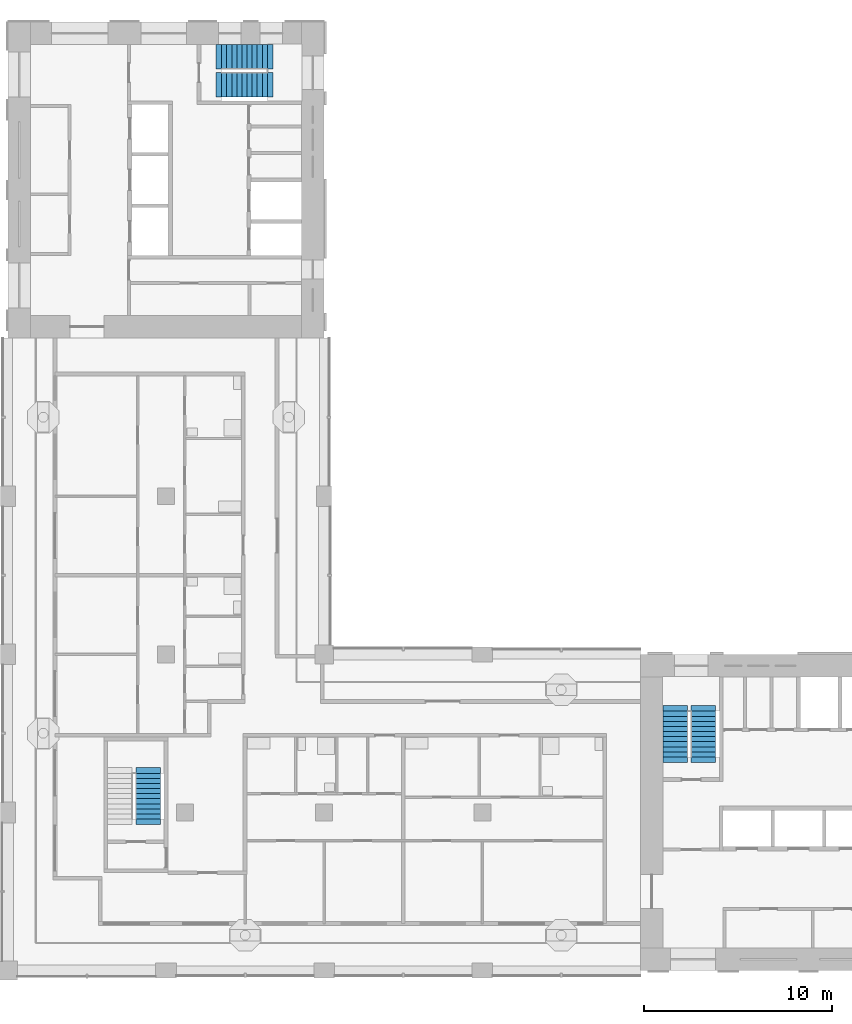
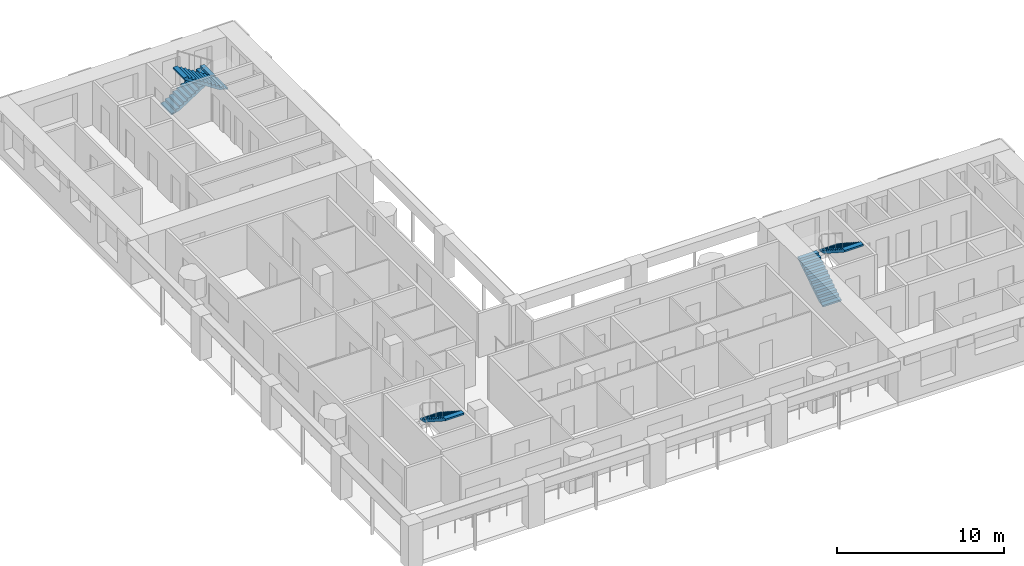
# One storey, part 7 of 12: 5 stair flights, 3 elements without a shape of their own.
"""IFC4 building model written with IfcOpenShell, lengths in metres."""

from ifc_helpers import new_model, si_unit, direction, frame, origin, place, context, subcontext, project, spatial, polyline, outline, extrude, material, type_object, element, aggregate, save


model = new_model("IFC4")

# Units and contexts
model_context = context("Model", 3, precision=1e-05, world=origin(), true_north=direction((0.0, 1.0)))
body_context = subcontext(model_context, "Body", "Model", "MODEL_VIEW")
ifc_project = project(units=[si_unit("LENGTHUNIT", "METRE"), si_unit("AREAUNIT", "SQUARE_METRE"), si_unit("VOLUMEUNIT", "CUBIC_METRE"), si_unit("PLANEANGLEUNIT", "RADIAN"), si_unit("MASSUNIT", "GRAM", prefix="KILO")], contexts=[model_context])

# Site, building, storey
site_placement = place(None, origin())
site = spatial("IfcSite", under=ifc_project, at=site_placement, CompositionType="ELEMENT")
building_placement = place(site_placement, origin())
building = spatial("IfcBuilding", under=site, at=building_placement, Name="Vermilion Gate Residences", CompositionType="ELEMENT")
storey_placement = place(building_placement, frame((0.0, 0.0, 214.199951171875)))
storey = spatial("IfcBuildingStorey", under=building, at=storey_placement, Name="L55", CompositionType="ELEMENT", Elevation=214.199951171875)

# Stair, stair flights
ifc_material_1 = material(Name="Concrete C50", Category="concrete")
stair_type = type_object("IfcStairType", Name="SPECIAL ESCAPE STAIR 1300", PredefinedType="HALF_TURN_STAIR", material=ifc_material_1)
stair_1_placement = place(storey_placement, origin())
stair_1 = element("IfcStair", 1, at=stair_1_placement, inside=storey, type_object=stair_type, Name="Special escape stair STA1-55", PredefinedType="HALF_TURN_STAIR")
ifc_material_2 = material(Name="Concrete C50", Category="concrete")
stair_flight_type = type_object("IfcStairFlightType", Name="STAIR FLIGHT 1300 RC C50", PredefinedType="STRAIGHT", material=ifc_material_2)
stair_flight_1_placement = place(storey_placement, frame((43.85009765625, 19.75, 0.0), z_axis=(0.0, 0.0, 1.0), x_axis=(0.0, 1.0, 0.0)))
stair_flight_1 = element("IfcStairFlight", 2, at=stair_flight_1_placement, type_object=stair_flight_type, Name="STA1-55 flight 1", NumberOfRisers=10, NumberOfTreads=9, PredefinedType="STRAIGHT", RiserHeight=0.175, TreadLength=0.27, context=body_context, shape_type="SweptSolid", body=[
    extrude(outline(polyline([(-0.300048828125, -0.14990234375), (-0.300048828125, -0.030029296875), (0.0, 0.0), (0.0, 0.175048828125), (0.27001953125, 0.175048828125), (0.27001953125, 0.35009765625), (0.5400390625, 0.35009765625), (0.5400390625, 0.52490234375), (0.81005859375, 0.52490234375), (0.81005859375, 0.699951171875), (1.080078125, 0.699951171875), (1.080078125, 0.875), (1.35009765625, 0.875), (1.35009765625, 1.050048828125), (1.6201171875, 1.050048828125), (1.6201171875, 1.22509765625), (1.889892578125, 1.22509765625), (1.889892578125, 1.39990234375), (2.159912109375, 1.39990234375), (2.159912109375, 1.574951171875), (2.429931640625, 1.574951171875), (2.429931640625, 1.75), (2.72998046875, 1.719970703125), (2.72998046875, 1.60009765625), (2.429931640625, 1.396484375), (0.275634765625, 0.0), (-0.300048828125, -0.14990234375)])), frame((0.0, 0.64990234375, 0.0), z_axis=(0.0, -1.0, 0.0), x_axis=(1.0, 0.0, 0.0)), (0.0, 0.0, 1.0), 1.300048828125),
])
stair_flight_2_placement = place(storey_placement, frame((45.35009765625, 22.179931640625, 1.75), z_axis=(0.0, 0.0, 1.0), x_axis=(0.0, -1.0, 0.0)))
stair_flight_2 = element("IfcStairFlight", 3, at=stair_flight_2_placement, type_object=stair_flight_type, Name="STA1-55 flight 2", NumberOfRisers=10, NumberOfTreads=9, PredefinedType="STRAIGHT", RiserHeight=0.175, TreadLength=0.27, context=body_context, shape_type="SweptSolid", body=[
    extrude(outline(polyline([(-0.300048828125, -0.14990234375), (-0.300048828125, -0.030029296875), (0.0, 0.0), (0.0, 0.175048828125), (0.27001953125, 0.175048828125), (0.27001953125, 0.35009765625), (0.5400390625, 0.35009765625), (0.5400390625, 0.52490234375), (0.81005859375, 0.52490234375), (0.81005859375, 0.699951171875), (1.080078125, 0.699951171875), (1.080078125, 0.875), (1.35009765625, 0.875), (1.35009765625, 1.050048828125), (1.6201171875, 1.050048828125), (1.6201171875, 1.22509765625), (1.889892578125, 1.22509765625), (1.889892578125, 1.39990234375), (2.159912109375, 1.39990234375), (2.159912109375, 1.574951171875), (2.429931640625, 1.574951171875), (2.429931640625, 1.75), (2.72998046875, 1.719970703125), (2.72998046875, 1.60009765625), (2.429931640625, 1.396484375), (0.275634765625, 0.0), (-0.300048828125, -0.14990234375)])), frame((0.0, 0.64990234375, 0.0), z_axis=(0.0, -1.0, 0.0), x_axis=(1.0, 0.0, 0.0)), (0.0, 0.0, 1.0), 1.300048828125),
])
aggregate(stair_1, [stair_flight_1, stair_flight_2])

stair_2_placement = place(storey_placement, origin())
stair_2 = element("IfcStair", 4, at=stair_2_placement, inside=storey, type_object=stair_type, Name="Special escape stair STB1-55", PredefinedType="HALF_TURN_STAIR")
stair_flight_3_placement = place(storey_placement, frame((19.75, 56.949951171875, 0.0), z_axis=(0.0, 0.0, 1.0), x_axis=(1.0, 0.0, 0.0)))
stair_flight_3 = element("IfcStairFlight", 5, at=stair_flight_3_placement, type_object=stair_flight_type, Name="STB1-55 flight 1", NumberOfRisers=10, NumberOfTreads=9, PredefinedType="STRAIGHT", RiserHeight=0.175, TreadLength=0.27, context=body_context, shape_type="SweptSolid", body=[
    extrude(outline(polyline([(-0.300048828125, -0.14990234375), (-0.300048828125, -0.030029296875), (0.0, 0.0), (0.0, 0.175048828125), (0.27001953125, 0.175048828125), (0.27001953125, 0.35009765625), (0.5400390625, 0.35009765625), (0.5400390625, 0.52490234375), (0.81005859375, 0.52490234375), (0.81005859375, 0.699951171875), (1.080078125, 0.699951171875), (1.080078125, 0.875), (1.35009765625, 0.875), (1.35009765625, 1.050048828125), (1.6201171875, 1.050048828125), (1.6201171875, 1.22509765625), (1.889892578125, 1.22509765625), (1.889892578125, 1.39990234375), (2.159912109375, 1.39990234375), (2.159912109375, 1.574951171875), (2.429931640625, 1.574951171875), (2.429931640625, 1.75), (2.72998046875, 1.719970703125), (2.72998046875, 1.60009765625), (2.429931640625, 1.396484375), (0.275634765625, 0.0), (-0.300048828125, -0.14990234375)])), frame((0.0, 0.64990234375, 0.0), z_axis=(0.0, -1.0, 0.0), x_axis=(1.0, 0.0, 0.0)), (0.0, 0.0, 1.0), 1.300048828125),
])
stair_flight_4_placement = place(storey_placement, frame((22.179931640625, 55.449951171875, 1.75), z_axis=(0.0, 0.0, 1.0), x_axis=(-1.0, 0.0, 0.0)))
stair_flight_4 = element("IfcStairFlight", 6, at=stair_flight_4_placement, type_object=stair_flight_type, Name="STB1-55 flight 2", NumberOfRisers=10, NumberOfTreads=9, PredefinedType="STRAIGHT", RiserHeight=0.175, TreadLength=0.27, context=body_context, shape_type="SweptSolid", body=[
    extrude(outline(polyline([(-0.300048828125, -0.14990234375), (-0.300048828125, -0.030029296875), (0.0, 0.0), (0.0, 0.175048828125), (0.27001953125, 0.175048828125), (0.27001953125, 0.35009765625), (0.5400390625, 0.35009765625), (0.5400390625, 0.52490234375), (0.81005859375, 0.52490234375), (0.81005859375, 0.699951171875), (1.080078125, 0.699951171875), (1.080078125, 0.875), (1.35009765625, 0.875), (1.35009765625, 1.050048828125), (1.6201171875, 1.050048828125), (1.6201171875, 1.22509765625), (1.889892578125, 1.22509765625), (1.889892578125, 1.39990234375), (2.159912109375, 1.39990234375), (2.159912109375, 1.574951171875), (2.429931640625, 1.574951171875), (2.429931640625, 1.75), (2.72998046875, 1.719970703125), (2.72998046875, 1.60009765625), (2.429931640625, 1.396484375), (0.275634765625, 0.0), (-0.300048828125, -0.14990234375)])), frame((0.0, 0.64990234375, 0.0), z_axis=(0.0, -1.0, 0.0), x_axis=(1.0, 0.0, 0.0)), (0.0, 0.0, 1.0), 1.300048828125),
])
aggregate(stair_2, [stair_flight_3, stair_flight_4])

# Stair, stair flight
stair_3_placement = place(storey_placement, origin())
stair_3 = element("IfcStair", 7, at=stair_3_placement, inside=storey, type_object=stair_type, Name="Special escape stair STC1-55", PredefinedType="HALF_TURN_STAIR")
stair_flight_5_placement = place(storey_placement, frame((15.85009765625, 18.8798828125, 1.75), z_axis=(0.0, 0.0, 1.0), x_axis=(0.0, -1.0, 0.0)))
stair_flight_5 = element("IfcStairFlight", 8, at=stair_flight_5_placement, type_object=stair_flight_type, Name="STC1-55 flight 2", NumberOfRisers=10, NumberOfTreads=9, PredefinedType="STRAIGHT", RiserHeight=0.175, TreadLength=0.27, context=body_context, shape_type="SweptSolid", body=[
    extrude(outline(polyline([(-0.300048828125, -0.14990234375), (-0.300048828125, -0.030029296875), (0.0, 0.0), (0.0, 0.175048828125), (0.27001953125, 0.175048828125), (0.27001953125, 0.35009765625), (0.5400390625, 0.35009765625), (0.5400390625, 0.52490234375), (0.81005859375, 0.52490234375), (0.81005859375, 0.699951171875), (1.080078125, 0.699951171875), (1.080078125, 0.875), (1.35009765625, 0.875), (1.35009765625, 1.050048828125), (1.6201171875, 1.050048828125), (1.6201171875, 1.22509765625), (1.889892578125, 1.22509765625), (1.889892578125, 1.39990234375), (2.159912109375, 1.39990234375), (2.159912109375, 1.574951171875), (2.429931640625, 1.574951171875), (2.429931640625, 1.75), (2.72998046875, 1.719970703125), (2.72998046875, 1.60009765625), (2.429931640625, 1.396484375), (0.275634765625, 0.0), (-0.300048828125, -0.14990234375)])), frame((0.0, 0.64990234375, 0.0), z_axis=(0.0, -1.0, 0.0), x_axis=(1.0, 0.0, 0.0)), (0.0, 0.0, 1.0), 1.300048828125),
])
aggregate(stair_3, [stair_flight_5])

save(model, "model.ifc")
